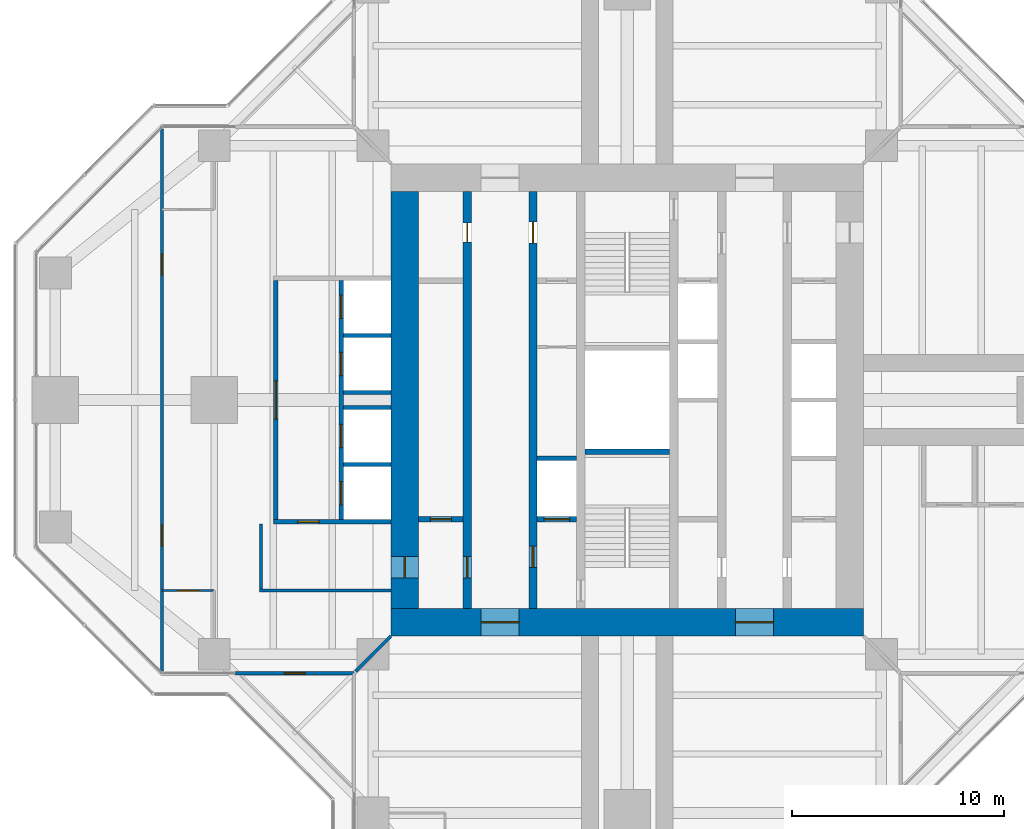
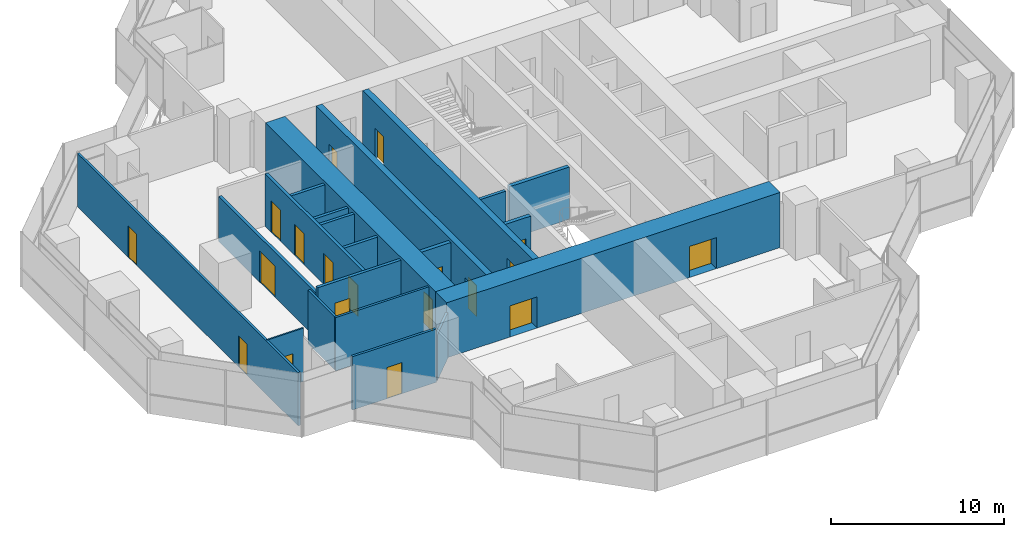
# One storey, part 13 of 17: 21 walls, 19 doors, 19 openings.
"""IFC4 building model written with IfcOpenShell, lengths in metres."""

from ifc_helpers import new_model, si_unit, direction, frame, frame_2d, origin, place, context, subcontext, project, spatial, rectangle, extrude, material, layer, layer_set, type_object, element, fill, save


model = new_model("IFC4")

# Units and contexts
model_context = context("Model", 3, precision=1e-05, world=origin(), true_north=direction((0.0, 1.0)))
body_context = subcontext(model_context, "Body", "Model", "MODEL_VIEW")
ifc_project = project(units=[si_unit("LENGTHUNIT", "METRE"), si_unit("AREAUNIT", "SQUARE_METRE"), si_unit("VOLUMEUNIT", "CUBIC_METRE"), si_unit("PLANEANGLEUNIT", "RADIAN"), si_unit("MASSUNIT", "GRAM", prefix="KILO")], contexts=[model_context])

# Site, building, storey
site_placement = place(None, origin())
site = spatial("IfcSite", under=ifc_project, at=site_placement, CompositionType="ELEMENT")
building_placement = place(site_placement, origin())
building = spatial("IfcBuilding", under=site, at=building_placement, Name="Mizan Broadcast Tower", CompositionType="ELEMENT")
storey_placement = place(building_placement, frame((0.0, 0.0, 240.0)))
storey = spatial("IfcBuildingStorey", under=building, at=storey_placement, Name="L56", CompositionType="ELEMENT", Elevation=240.0)

# Wall, openings, doors
ifc_material_1 = material(Name="Concrete C70/85", Category="concrete")
ifc_layer_1 = layer(ifc_material_1, 0.39990234375)
ifc_layer_set_1 = layer_set([ifc_layer_1], Name="Concrete C70/85")
wall_type_1 = type_object("IfcWallType", Name="CORE INTERNAL WALL 400", PredefinedType="SHEAR", material=ifc_layer_set_1)
wall_1_placement = place(storey_placement, frame((-7.550048828125, -9.85009765625, 0.0), z_axis=(0.0, 0.0, 1.0), x_axis=(0.0, 1.0, 0.0)))
wall_1 = element("IfcWall", 1, at=wall_1_placement, inside=storey, type_object=wall_type_1, Name="Core wall CORE/XW1", PredefinedType="SHEAR", context=body_context, shape_type="SweptSolid", body=[
    extrude(rectangle(XDim=19.7001953125, YDim=0.39990234375, at=frame_2d((9.85009765625, 0.0))), origin(), (0.0, 0.0, 1.0), 3.89990234375),
])
opening_1_placement = place(wall_1_placement, frame((1.449951171875, 0.0, 0.0)))
opening_1 = element("IfcOpeningElement", 2, at=opening_1_placement, cuts=wall_1, Name="Opening D10F", PredefinedType="OPENING", context=body_context, shape_type="SweptSolid", body=[
    extrude(rectangle(XDim=1.0, YDim=2.199951171875, at=frame_2d((0.5, 1.10009765625))), frame((0.0, 0.2099609375, 0.0), z_axis=(0.0, -1.0, 0.0), x_axis=(1.0, 0.0, 0.0)), (0.0, 0.0, 1.0), 0.419921875),
])
opening_2_placement = place(wall_1_placement, frame((17.300048828125, 0.0, 0.0)))
opening_2 = element("IfcOpeningElement", 3, at=opening_2_placement, cuts=wall_1, Name="Opening D09", PredefinedType="OPENING", context=body_context, shape_type="SweptSolid", body=[
    extrude(rectangle(XDim=0.89990234375, YDim=2.10009765625, at=frame_2d((0.449951171875, 1.050048828125))), frame((0.0, 0.2099609375, 0.0), z_axis=(0.0, -1.0, 0.0), x_axis=(1.0, 0.0, 0.0)), (0.0, 0.0, 1.0), 0.419921875),
])
ifc_material_2 = material(Name="Steel door leaf in steel frame", Category="steel")
door_type_1 = type_object("IfcDoorType", Name="FIRE DOOR 1000 FD90", OperationType="SINGLE_SWING_LEFT", PredefinedType="DOOR", material=ifc_material_2)
door_1_placement = place(opening_1_placement, origin())
door_1 = element("IfcDoor", 4, at=door_1_placement, inside=storey, type_object=door_type_1, Name="West core passage door", OperationType="SINGLE_SWING_LEFT", OverallHeight=2.199951171875, OverallWidth=1.0, PredefinedType="DOOR", context=body_context, shape_type="SweptSolid", body=[
    extrude(rectangle(XDim=1.0, YDim=2.199951171875, at=frame_2d((0.5, 1.10009765625))), frame((0.0, 0.02490234375, 0.0), z_axis=(0.0, -1.0, 0.0), x_axis=(1.0, 0.0, 0.0)), (0.0, 0.0, 1.0), 0.050048828125),
])
fill(opening_1, door_1)
ifc_material_3 = material(Name="Timber door leaf in aluminium frame", Category="wood")
door_type_2 = type_object("IfcDoorType", Name="TOILET DOOR 900", OperationType="SINGLE_SWING_LEFT", PredefinedType="DOOR", material=ifc_material_3)
door_2_placement = place(opening_2_placement, origin())
door_2 = element("IfcDoor", 5, at=door_2_placement, inside=storey, type_object=door_type_2, Name="Male WC door", OperationType="SINGLE_SWING_RIGHT", OverallHeight=2.10009765625, OverallWidth=0.89990234375, PredefinedType="DOOR", context=body_context, shape_type="SweptSolid", body=[
    extrude(rectangle(XDim=0.89990234375, YDim=2.10009765625, at=frame_2d((0.449951171875, 1.050048828125))), frame((0.0, 0.02490234375, 0.0), z_axis=(0.0, -1.0, 0.0), x_axis=(1.0, 0.0, 0.0)), (0.0, 0.0, 1.0), 0.050048828125),
])
fill(opening_2, door_2)

wall_2_placement = place(storey_placement, frame((-4.449951171875, -9.85009765625, 0.0), z_axis=(0.0, 0.0, 1.0), x_axis=(0.0, 1.0, 0.0)))
wall_2 = element("IfcWall", 6, at=wall_2_placement, inside=storey, type_object=wall_type_1, Name="Core wall CORE/XWH", PredefinedType="SHEAR", context=body_context, shape_type="SweptSolid", body=[
    extrude(rectangle(XDim=19.7001953125, YDim=0.39990234375, at=frame_2d((9.85009765625, 0.0))), origin(), (0.0, 0.0, 1.0), 3.89990234375),
])
opening_3_placement = place(wall_2_placement, frame((1.949951171875, 0.0, 0.0)))
opening_3 = element("IfcOpeningElement", 7, at=opening_3_placement, cuts=wall_2, Name="Opening D10F", PredefinedType="OPENING", context=body_context, shape_type="SweptSolid", body=[
    extrude(rectangle(XDim=1.0, YDim=2.199951171875, at=frame_2d((0.5, 1.10009765625))), frame((0.0, 0.2099609375, 0.0), z_axis=(0.0, -1.0, 0.0), x_axis=(1.0, 0.0, 0.0)), (0.0, 0.0, 1.0), 0.419921875),
])
opening_4_placement = place(wall_2_placement, frame((17.25, 0.0, 0.0)))
opening_4 = element("IfcOpeningElement", 8, at=opening_4_placement, cuts=wall_2, Name="Opening D10A", PredefinedType="OPENING", context=body_context, shape_type="SweptSolid", body=[
    extrude(rectangle(XDim=1.0, YDim=2.10009765625, at=frame_2d((0.5, 1.050048828125))), frame((0.0, 0.2099609375, 0.0), z_axis=(0.0, -1.0, 0.0), x_axis=(1.0, 0.0, 0.0)), (0.0, 0.0, 1.0), 0.419921875),
])
ifc_material_4 = material(Name="Timber door leaf in aluminium frame", Category="wood")
door_type_3 = type_object("IfcDoorType", Name="ACCESSIBLE WC DOOR 1000", OperationType="SLIDING_TO_LEFT", PredefinedType="DOOR", material=ifc_material_4)
door_3_placement = place(opening_4_placement, origin())
door_3 = element("IfcDoor", 9, at=door_3_placement, inside=storey, type_object=door_type_3, Name="Accessible WC door", OperationType="SLIDING_TO_LEFT", OverallHeight=2.10009765625, OverallWidth=1.0, PredefinedType="DOOR", context=body_context, shape_type="SweptSolid", body=[
    extrude(rectangle(XDim=1.0, YDim=2.10009765625, at=frame_2d((0.5, 1.050048828125))), frame((0.0, 0.02490234375, 0.0), z_axis=(0.0, -1.0, 0.0), x_axis=(1.0, 0.0, 0.0)), (0.0, 0.0, 1.0), 0.050048828125),
])
fill(opening_4, door_3)
door_4_placement = place(opening_3_placement, origin())
door_4 = element("IfcDoor", 10, at=door_4_placement, inside=storey, type_object=door_type_1, Name="Firefighting lobby A door", OperationType="SINGLE_SWING_LEFT", OverallHeight=2.199951171875, OverallWidth=1.0, PredefinedType="DOOR", context=body_context, shape_type="SweptSolid", body=[
    extrude(rectangle(XDim=1.0, YDim=2.199951171875, at=frame_2d((0.5, 1.10009765625))), frame((0.0, 0.02490234375, 0.0), z_axis=(0.0, -1.0, 0.0), x_axis=(1.0, 0.0, 0.0)), (0.0, 0.0, 1.0), 0.050048828125),
])
fill(opening_3, door_4)

ifc_material_5 = material(Name="Concrete C70/85", Category="concrete")
ifc_layer_2 = layer(ifc_material_5, 1.300048828125)
ifc_layer_set_2 = layer_set([ifc_layer_2], Name="Concrete C70/85")
wall_type_2 = type_object("IfcWallType", Name="CORE WALL 1300", PredefinedType="SHEAR", material=ifc_layer_set_2)
wall_3_placement = place(storey_placement, frame((11.14990234375, -10.5, 0.0), z_axis=(0.0, 0.0, 1.0), x_axis=(-1.0, 0.0, 0.0)))
wall_3 = element("IfcWall", 11, at=wall_3_placement, inside=storey, type_object=wall_type_2, Name="Core wall S L56", PredefinedType="SHEAR", context=body_context, shape_type="SweptSolid", body=[
    extrude(rectangle(XDim=22.2998046875, YDim=1.300048828125, at=frame_2d((11.14990234375, 0.0))), origin(), (0.0, 0.0, 1.0), 3.89990234375),
])
opening_5_placement = place(wall_3_placement, frame((16.25, 0.0, 0.0)))
opening_5 = element("IfcOpeningElement", 12, at=opening_5_placement, cuts=wall_3, Name="Opening D18F", PredefinedType="OPENING", context=body_context, shape_type="SweptSolid", body=[
    extrude(rectangle(XDim=1.800048828125, YDim=2.199951171875, at=frame_2d((0.89990234375, 1.10009765625))), frame((0.0, 0.659912109375, 0.0), z_axis=(0.0, -1.0, 0.0), x_axis=(1.0, 0.0, 0.0)), (0.0, 0.0, 1.0), 1.320068359375),
])
opening_6_placement = place(wall_3_placement, frame((4.25, 0.0, 0.0)))
opening_6 = element("IfcOpeningElement", 13, at=opening_6_placement, cuts=wall_3, Name="Opening D18F", PredefinedType="OPENING", context=body_context, shape_type="SweptSolid", body=[
    extrude(rectangle(XDim=1.800048828125, YDim=2.199951171875, at=frame_2d((0.89990234375, 1.10009765625))), frame((0.0, 0.659912109375, 0.0), z_axis=(0.0, -1.0, 0.0), x_axis=(1.0, 0.0, 0.0)), (0.0, 0.0, 1.0), 1.320068359375),
])
ifc_material_6 = material(Name="Steel door leaf in steel frame", Category="steel")
door_type_4 = type_object("IfcDoorType", Name="LOBBY DOUBLE DOOR 1800 FD90", OperationType="DOUBLE_DOOR_DOUBLE_SWING", PredefinedType="DOOR", material=ifc_material_6)
door_5_placement = place(opening_5_placement, origin())
door_5 = element("IfcDoor", 14, at=door_5_placement, inside=storey, type_object=door_type_4, Name="West lift lobby south door", OperationType="DOUBLE_DOOR_DOUBLE_SWING", OverallHeight=2.199951171875, OverallWidth=1.800048828125, PredefinedType="DOOR", context=body_context, shape_type="SweptSolid", body=[
    extrude(rectangle(XDim=1.800048828125, YDim=2.199951171875, at=frame_2d((0.89990234375, 1.10009765625))), frame((0.0, 0.02490234375, 0.0), z_axis=(0.0, -1.0, 0.0), x_axis=(1.0, 0.0, 0.0)), (0.0, 0.0, 1.0), 0.050048828125),
])
fill(opening_5, door_5)
door_6_placement = place(opening_6_placement, origin())
door_6 = element("IfcDoor", 15, at=door_6_placement, inside=storey, type_object=door_type_4, Name="East lift lobby south door", OperationType="DOUBLE_DOOR_DOUBLE_SWING", OverallHeight=2.199951171875, OverallWidth=1.800048828125, PredefinedType="DOOR", context=body_context, shape_type="SweptSolid", body=[
    extrude(rectangle(XDim=1.800048828125, YDim=2.199951171875, at=frame_2d((0.89990234375, 1.10009765625))), frame((0.0, 0.02490234375, 0.0), z_axis=(0.0, -1.0, 0.0), x_axis=(1.0, 0.0, 0.0)), (0.0, 0.0, 1.0), 0.050048828125),
])
fill(opening_6, door_6)

# Wall, opening, door
wall_4_placement = place(storey_placement, frame((-10.5, 9.85009765625, 0.0), z_axis=(0.0, 0.0, 1.0), x_axis=(0.0, -1.0, 0.0)))
wall_4 = element("IfcWall", 16, at=wall_4_placement, inside=storey, type_object=wall_type_2, Name="Core wall W L56", PredefinedType="SHEAR", context=body_context, shape_type="SweptSolid", body=[
    extrude(rectangle(XDim=19.7001953125, YDim=1.300048828125, at=frame_2d((9.85009765625, 0.0))), origin(), (0.0, 0.0, 1.0), 3.89990234375),
])
opening_7_placement = place(wall_4_placement, frame((17.25, 0.0, 0.0)))
opening_7 = element("IfcOpeningElement", 17, at=opening_7_placement, cuts=wall_4, Name="Opening D10F", PredefinedType="OPENING", context=body_context, shape_type="SweptSolid", body=[
    extrude(rectangle(XDim=1.0, YDim=2.199951171875, at=frame_2d((0.5, 1.10009765625))), frame((0.0, 0.659912109375, 0.0), z_axis=(0.0, -1.0, 0.0), x_axis=(1.0, 0.0, 0.0)), (0.0, 0.0, 1.0), 1.320068359375),
])
door_7_placement = place(opening_7_placement, origin())
door_7 = element("IfcDoor", 18, at=door_7_placement, inside=storey, type_object=door_type_1, Name="West core passage arm door", OperationType="SINGLE_SWING_RIGHT", OverallHeight=2.199951171875, OverallWidth=1.0, PredefinedType="DOOR", context=body_context, shape_type="SweptSolid", body=[
    extrude(rectangle(XDim=1.0, YDim=2.199951171875, at=frame_2d((0.5, 1.10009765625))), frame((0.0, 0.02490234375, 0.0), z_axis=(0.0, -1.0, 0.0), x_axis=(1.0, 0.0, 0.0)), (0.0, 0.0, 1.0), 0.050048828125),
])
fill(opening_7, door_7)

ifc_material_7 = material(Name="Aluminium framed glazed screen", Category="aluminium")
ifc_layer_3 = layer(ifc_material_7, 0.159912109375)
ifc_layer_set_3 = layer_set([ifc_layer_3], Name="Aluminium framed glazed screen")
wall_type_3 = type_object("IfcWallType", Name="GLAZED SCREEN WALL 160", PredefinedType="SOLIDWALL", material=ifc_layer_set_3)
wall_5_placement = place(storey_placement, frame((-18.5, -12.89990234375, 0.0), z_axis=(0.0, 0.0, 1.0), x_axis=(1.0, 0.0, 0.0)))
wall_5 = element("IfcWall", 19, at=wall_5_placement, inside=storey, type_object=wall_type_3, Name="Winter garden screen L56 W", PredefinedType="SOLIDWALL", context=body_context, shape_type="SweptSolid", body=[
    extrude(rectangle(XDim=5.60009765625, YDim=0.159912109375, at=frame_2d((2.800048828125, 0.0))), origin(), (0.0, 0.0, 1.0), 3.77001953125),
])
opening_8_placement = place(wall_5_placement, frame((2.300048828125, 0.0, 0.0)))
opening_8 = element("IfcOpeningElement", 20, at=opening_8_placement, cuts=wall_5, Name="Opening WGD", PredefinedType="OPENING", context=body_context, shape_type="SweptSolid", body=[
    extrude(rectangle(XDim=1.0, YDim=2.199951171875, at=frame_2d((0.5, 1.10009765625))), frame((0.0, 0.08984375, 0.0), z_axis=(0.0, -1.0, 0.0), x_axis=(1.0, 0.0, 0.0)), (0.0, 0.0, 1.0), 0.179931640625),
])
ifc_material_8 = material(Name="Aluminium framed glazed door", Category="aluminium")
door_type_5 = type_object("IfcDoorType", Name="WINTER GARDEN DOOR 1000 GLAZED", OperationType="SINGLE_SWING_LEFT", PredefinedType="DOOR", material=ifc_material_8)
door_8_placement = place(opening_8_placement, origin())
door_8 = element("IfcDoor", 21, at=door_8_placement, inside=storey, type_object=door_type_5, Name="Winter garden door L56 W", OperationType="SINGLE_SWING_RIGHT", OverallHeight=2.199951171875, OverallWidth=1.0, PredefinedType="DOOR", context=body_context, shape_type="SweptSolid", body=[
    extrude(rectangle(XDim=1.0, YDim=2.199951171875, at=frame_2d((0.5, 1.10009765625))), frame((0.0, 0.02490234375, 0.0), z_axis=(0.0, -1.0, 0.0), x_axis=(1.0, 0.0, 0.0)), (0.0, 0.0, 1.0), 0.050048828125),
])
fill(opening_8, door_8)

# Wall
ifc_material_9 = material(Name="Concrete blockwork", Category="masonry")
ifc_layer_4 = layer(ifc_material_9, 0.199951171875)
ifc_layer_set_4 = layer_set([ifc_layer_4], Name="Concrete blockwork")
wall_type_4 = type_object("IfcWallType", Name="LIFT SHAFT WALL 200", PredefinedType="SOLIDWALL", material=ifc_layer_set_4)
wall_6_placement = place(storey_placement, frame((-4.25, -2.75, 0.0), z_axis=(0.0, 0.0, 1.0), x_axis=(1.0, 0.0, 0.0)))
element("IfcWall", 22, at=wall_6_placement, inside=storey, type_object=wall_type_4, Name="Lift shaft wall CORE/SW2-1", PredefinedType="SOLIDWALL", context=body_context, shape_type="SweptSolid", body=[
    extrude(rectangle(XDim=1.85009765625, YDim=0.199951171875, at=frame_2d((0.925048828125, 0.0))), origin(), (0.0, 0.0, 1.0), 3.699951171875),
])

# Wall, openings, doors
wall_7_placement = place(storey_placement, frame((-13.5, 5.64990234375, 0.0), z_axis=(0.0, 0.0, 1.0), x_axis=(0.0, -1.0, 0.0)))
wall_7 = element("IfcWall", 23, at=wall_7_placement, inside=storey, type_object=wall_type_4, Name="Lift shaft wall LC/F", PredefinedType="SOLIDWALL", context=body_context, shape_type="SweptSolid", body=[
    extrude(rectangle(XDim=11.2998046875, YDim=0.199951171875, at=frame_2d((5.64990234375, 0.0))), origin(), (0.0, 0.0, 1.0), 3.699951171875),
])
opening_9_placement = place(wall_7_placement, frame((0.699951171875, 0.0, 0.0)))
opening_9 = element("IfcOpeningElement", 24, at=opening_9_placement, cuts=wall_7, Name="Opening LD", PredefinedType="OPENING", context=body_context, shape_type="SweptSolid", body=[
    extrude(rectangle(XDim=1.10009765625, YDim=2.199951171875, at=frame_2d((0.550048828125, 1.10009765625))), frame((0.0, 0.10986328125, 0.0), z_axis=(0.0, -1.0, 0.0), x_axis=(1.0, 0.0, 0.0)), (0.0, 0.0, 1.0), 0.219970703125),
])
opening_10_placement = place(wall_7_placement, frame((3.39990234375, 0.0, 0.0)))
opening_10 = element("IfcOpeningElement", 25, at=opening_10_placement, cuts=wall_7, Name="Opening LD", PredefinedType="OPENING", context=body_context, shape_type="SweptSolid", body=[
    extrude(rectangle(XDim=1.10009765625, YDim=2.199951171875, at=frame_2d((0.550048828125, 1.10009765625))), frame((0.0, 0.10986328125, 0.0), z_axis=(0.0, -1.0, 0.0), x_axis=(1.0, 0.0, 0.0)), (0.0, 0.0, 1.0), 0.219970703125),
])
opening_11_placement = place(wall_7_placement, frame((6.800048828125, 0.0, 0.0)))
opening_11 = element("IfcOpeningElement", 26, at=opening_11_placement, cuts=wall_7, Name="Opening LD", PredefinedType="OPENING", context=body_context, shape_type="SweptSolid", body=[
    extrude(rectangle(XDim=1.10009765625, YDim=2.199951171875, at=frame_2d((0.550048828125, 1.10009765625))), frame((0.0, 0.10986328125, 0.0), z_axis=(0.0, -1.0, 0.0), x_axis=(1.0, 0.0, 0.0)), (0.0, 0.0, 1.0), 0.219970703125),
])
opening_12_placement = place(wall_7_placement, frame((9.5, 0.0, 0.0)))
opening_12 = element("IfcOpeningElement", 27, at=opening_12_placement, cuts=wall_7, Name="Opening LD", PredefinedType="OPENING", context=body_context, shape_type="SweptSolid", body=[
    extrude(rectangle(XDim=1.10009765625, YDim=2.199951171875, at=frame_2d((0.550048828125, 1.10009765625))), frame((0.0, 0.10986328125, 0.0), z_axis=(0.0, -1.0, 0.0), x_axis=(1.0, 0.0, 0.0)), (0.0, 0.0, 1.0), 0.219970703125),
])
ifc_material_10 = material(Name="Steel door leaf in steel frame", Category="steel")
door_type_6 = type_object("IfcDoorType", Name="LIFT LANDING DOOR 1100", OperationType="SLIDING_TO_LEFT", PredefinedType="DOOR", material=ifc_material_10)
door_9_placement = place(opening_9_placement, origin())
door_9 = element("IfcDoor", 28, at=door_9_placement, inside=storey, type_object=door_type_6, Name="Landing door LC1", OperationType="SLIDING_TO_LEFT", OverallHeight=2.199951171875, OverallWidth=1.10009765625, PredefinedType="DOOR", context=body_context, shape_type="SweptSolid", body=[
    extrude(rectangle(XDim=1.10009765625, YDim=2.199951171875, at=frame_2d((0.550048828125, 1.10009765625))), frame((0.0, 0.02490234375, 0.0), z_axis=(0.0, -1.0, 0.0), x_axis=(1.0, 0.0, 0.0)), (0.0, 0.0, 1.0), 0.050048828125),
])
fill(opening_9, door_9)
door_10_placement = place(opening_10_placement, origin())
door_10 = element("IfcDoor", 29, at=door_10_placement, inside=storey, type_object=door_type_6, Name="Landing door LC2", OperationType="SLIDING_TO_LEFT", OverallHeight=2.199951171875, OverallWidth=1.10009765625, PredefinedType="DOOR", context=body_context, shape_type="SweptSolid", body=[
    extrude(rectangle(XDim=1.10009765625, YDim=2.199951171875, at=frame_2d((0.550048828125, 1.10009765625))), frame((0.0, 0.02490234375, 0.0), z_axis=(0.0, -1.0, 0.0), x_axis=(1.0, 0.0, 0.0)), (0.0, 0.0, 1.0), 0.050048828125),
])
fill(opening_10, door_10)
door_11_placement = place(opening_11_placement, origin())
door_11 = element("IfcDoor", 30, at=door_11_placement, inside=storey, type_object=door_type_6, Name="Landing door LC3", OperationType="SLIDING_TO_LEFT", OverallHeight=2.199951171875, OverallWidth=1.10009765625, PredefinedType="DOOR", context=body_context, shape_type="SweptSolid", body=[
    extrude(rectangle(XDim=1.10009765625, YDim=2.199951171875, at=frame_2d((0.550048828125, 1.10009765625))), frame((0.0, 0.02490234375, 0.0), z_axis=(0.0, -1.0, 0.0), x_axis=(1.0, 0.0, 0.0)), (0.0, 0.0, 1.0), 0.050048828125),
])
fill(opening_11, door_11)
door_12_placement = place(opening_12_placement, origin())
door_12 = element("IfcDoor", 31, at=door_12_placement, inside=storey, type_object=door_type_6, Name="Landing door LC4", OperationType="SLIDING_TO_LEFT", OverallHeight=2.199951171875, OverallWidth=1.10009765625, PredefinedType="DOOR", context=body_context, shape_type="SweptSolid", body=[
    extrude(rectangle(XDim=1.10009765625, YDim=2.199951171875, at=frame_2d((0.550048828125, 1.10009765625))), frame((0.0, 0.02490234375, 0.0), z_axis=(0.0, -1.0, 0.0), x_axis=(1.0, 0.0, 0.0)), (0.0, 0.0, 1.0), 0.050048828125),
])
fill(opening_12, door_12)

# Wall, opening, door
wall_8_placement = place(storey_placement, frame((-11.14990234375, -5.75, 0.0), z_axis=(0.0, 0.0, 1.0), x_axis=(-1.0, 0.0, 0.0)))
wall_8 = element("IfcWall", 32, at=wall_8_placement, inside=storey, type_object=wall_type_4, Name="Lift shaft wall LC/S2", PredefinedType="SOLIDWALL", context=body_context, shape_type="SweptSolid", body=[
    extrude(rectangle(XDim=5.550048828125, YDim=0.199951171875, at=frame_2d((2.77490234375, 0.0))), origin(), (0.0, 0.0, 1.0), 3.699951171875),
])
opening_13_placement = place(wall_8_placement, frame((3.39990234375, 0.0, 0.0)))
opening_13 = element("IfcOpeningElement", 33, at=opening_13_placement, cuts=wall_8, Name="Opening D10F", PredefinedType="OPENING", context=body_context, shape_type="SweptSolid", body=[
    extrude(rectangle(XDim=1.0, YDim=2.199951171875, at=frame_2d((0.5, 1.10009765625))), frame((0.0, 0.10986328125, 0.0), z_axis=(0.0, -1.0, 0.0), x_axis=(1.0, 0.0, 0.0)), (0.0, 0.0, 1.0), 0.219970703125),
])
door_13_placement = place(opening_13_placement, origin())
door_13 = element("IfcDoor", 34, at=door_13_placement, inside=storey, type_object=door_type_1, Name="High-rise lobby corridor door", OperationType="SINGLE_SWING_RIGHT", OverallHeight=2.199951171875, OverallWidth=1.0, PredefinedType="DOOR", context=body_context, shape_type="SweptSolid", body=[
    extrude(rectangle(XDim=1.0, YDim=2.199951171875, at=frame_2d((0.5, 1.10009765625))), frame((0.0, 0.02490234375, 0.0), z_axis=(0.0, -1.0, 0.0), x_axis=(1.0, 0.0, 0.0)), (0.0, 0.0, 1.0), 0.050048828125),
])
fill(opening_13, door_13)

# Walls
for number, where, z_axis, x_axis, name in (
    (35, (-11.14990234375, 3.050048828125, 0.0), (0.0, 0.0, 1.0), (-1.0, 0.0, 0.0), "Lift shaft wall LC/SP1"),
    (36, (-11.14990234375, 0.35009765625, 0.0), (0.0, 0.0, 1.0), (-1.0, 0.0, 0.0), "Lift shaft wall LC/SP2"),
    (37, (-11.14990234375, -0.35009765625, 0.0), (0.0, 0.0, 1.0), (-1.0, 0.0, 0.0), "Lift shaft wall LC/SP3"),
    (38, (-11.14990234375, -3.050048828125, 0.0), (0.0, 0.0, 1.0), (-1.0, 0.0, 0.0), "Lift shaft wall LC/SP4"),
):
    element("IfcWall", number, at=place(storey_placement, frame(where, z_axis=z_axis, x_axis=x_axis)), inside=storey, type_object=wall_type_4, Name=name, PredefinedType="SOLIDWALL", context=body_context, shape_type="SweptSolid", body=[
        extrude(rectangle(XDim=2.25, YDim=0.199951171875, at=frame_2d((1.125, 0.0))), origin(), (0.0, 0.0, 1.0), 3.699951171875),
    ])

# Wall, opening, door
ifc_material_11 = material(Name="Concrete blockwork", Category="masonry")
ifc_layer_5 = layer(ifc_material_11, 0.25)
ifc_layer_set_5 = layer_set([ifc_layer_5], Name="Concrete blockwork")
wall_type_5 = type_object("IfcWallType", Name="LOBBY ENCLOSURE WALL 250", PredefinedType="SOLIDWALL", material=ifc_layer_set_5)
wall_9_placement = place(storey_placement, frame((-9.85009765625, -5.625, 0.0), z_axis=(0.0, 0.0, 1.0), x_axis=(1.0, 0.0, 0.0)))
wall_9 = element("IfcWall", 39, at=wall_9_placement, inside=storey, type_object=wall_type_5, Name="Lobby enclosure wall CORE/BW1S", PredefinedType="SOLIDWALL", context=body_context, shape_type="SweptSolid", body=[
    extrude(rectangle(XDim=2.10009765625, YDim=0.25, at=frame_2d((1.050048828125, 0.0))), origin(), (0.0, 0.0, 1.0), 3.699951171875),
])
opening_14_placement = place(wall_9_placement, frame((0.550048828125, 0.0, 0.0)))
opening_14 = element("IfcOpeningElement", 40, at=opening_14_placement, cuts=wall_9, Name="Opening D10F", PredefinedType="OPENING", context=body_context, shape_type="SweptSolid", body=[
    extrude(rectangle(XDim=1.0, YDim=2.199951171875, at=frame_2d((0.5, 1.10009765625))), frame((0.0, 0.135009765625, 0.0), z_axis=(0.0, -1.0, 0.0), x_axis=(1.0, 0.0, 0.0)), (0.0, 0.0, 1.0), 0.27001953125),
])
door_14_placement = place(opening_14_placement, origin())
door_14 = element("IfcDoor", 41, at=door_14_placement, inside=storey, type_object=door_type_1, Name="Print and post room door", OperationType="SINGLE_SWING_RIGHT", OverallHeight=2.199951171875, OverallWidth=1.0, PredefinedType="DOOR", context=body_context, shape_type="SweptSolid", body=[
    extrude(rectangle(XDim=1.0, YDim=2.199951171875, at=frame_2d((0.5, 1.10009765625))), frame((0.0, 0.02490234375, 0.0), z_axis=(0.0, -1.0, 0.0), x_axis=(1.0, 0.0, 0.0)), (0.0, 0.0, 1.0), 0.050048828125),
])
fill(opening_14, door_14)

wall_10_placement = place(storey_placement, frame((-4.25, -5.625, 0.0), z_axis=(0.0, 0.0, 1.0), x_axis=(1.0, 0.0, 0.0)))
wall_10 = element("IfcWall", 42, at=wall_10_placement, inside=storey, type_object=wall_type_5, Name="Lobby enclosure wall CORE/BW2S", PredefinedType="SOLIDWALL", context=body_context, shape_type="SweptSolid", body=[
    extrude(rectangle(XDim=1.85009765625, YDim=0.25, at=frame_2d((0.925048828125, 0.0))), origin(), (0.0, 0.0, 1.0), 3.699951171875),
])
opening_15_placement = place(wall_10_placement, frame((0.324951171875, 0.0, 0.0)))
opening_15 = element("IfcOpeningElement", 43, at=opening_15_placement, cuts=wall_10, Name="Opening LDF", PredefinedType="OPENING", context=body_context, shape_type="SweptSolid", body=[
    extrude(rectangle(XDim=1.199951171875, YDim=2.199951171875, at=frame_2d((0.60009765625, 1.10009765625))), frame((0.0, 0.135009765625, 0.0), z_axis=(0.0, -1.0, 0.0), x_axis=(1.0, 0.0, 0.0)), (0.0, 0.0, 1.0), 0.27001953125),
])
ifc_material_12 = material(Name="Steel door leaf in steel frame", Category="steel")
door_type_7 = type_object("IfcDoorType", Name="FIREFIGHTING LIFT LANDING DOOR 1200", OperationType="SLIDING_TO_LEFT", PredefinedType="DOOR", material=ifc_material_12)
door_15_placement = place(opening_15_placement, origin())
door_15 = element("IfcDoor", 44, at=door_15_placement, inside=storey, type_object=door_type_7, Name="Landing door FF1", OperationType="SLIDING_TO_LEFT", OverallHeight=2.199951171875, OverallWidth=1.199951171875, PredefinedType="DOOR", context=body_context, shape_type="SweptSolid", body=[
    extrude(rectangle(XDim=1.199951171875, YDim=2.199951171875, at=frame_2d((0.60009765625, 1.10009765625))), frame((0.0, 0.02490234375, 0.0), z_axis=(0.0, -1.0, 0.0), x_axis=(1.0, 0.0, 0.0)), (0.0, 0.0, 1.0), 0.050048828125),
])
fill(opening_15, door_15)

# Wall
wall_11_placement = place(storey_placement, frame((-2.0, -2.449951171875, 0.0), z_axis=(0.0, 0.0, 1.0), x_axis=(1.0, 0.0, 0.0)))
element("IfcWall", 45, at=wall_11_placement, inside=storey, type_object=wall_type_5, Name="Lobby enclosure wall CORE/STA", PredefinedType="SOLIDWALL", context=body_context, shape_type="SweptSolid", body=[
    extrude(rectangle(XDim=4.0, YDim=0.25, at=frame_2d((2.0, 0.0))), origin(), (0.0, 0.0, 1.0), 3.699951171875),
])

# Wall, opening, door
wall_12_placement = place(storey_placement, frame((-16.60009765625, 5.64990234375, 0.0), z_axis=(0.0, 0.0, 1.0), x_axis=(0.0, -1.0, 0.0)))
wall_12 = element("IfcWall", 46, at=wall_12_placement, inside=storey, type_object=wall_type_5, Name="Lobby enclosure wall LC/LF", PredefinedType="SOLIDWALL", context=body_context, shape_type="SweptSolid", body=[
    extrude(rectangle(XDim=11.2998046875, YDim=0.199951171875, at=frame_2d((5.64990234375, 0.0))), origin(), (0.0, 0.0, 1.0), 3.179931640625),
])
opening_16_placement = place(wall_12_placement, frame((4.75, 0.0, 0.0)))
opening_16 = element("IfcOpeningElement", 47, at=opening_16_placement, cuts=wall_12, Name="Opening D18F", PredefinedType="OPENING", context=body_context, shape_type="SweptSolid", body=[
    extrude(rectangle(XDim=1.800048828125, YDim=2.199951171875, at=frame_2d((0.89990234375, 1.10009765625))), frame((0.0, 0.10986328125, 0.0), z_axis=(0.0, -1.0, 0.0), x_axis=(1.0, 0.0, 0.0)), (0.0, 0.0, 1.0), 0.219970703125),
])
door_16_placement = place(opening_16_placement, origin())
door_16 = element("IfcDoor", 48, at=door_16_placement, inside=storey, type_object=door_type_4, Name="High-rise lift lobby door", OperationType="DOUBLE_DOOR_DOUBLE_SWING", OverallHeight=2.199951171875, OverallWidth=1.800048828125, PredefinedType="DOOR", context=body_context, shape_type="SweptSolid", body=[
    extrude(rectangle(XDim=1.800048828125, YDim=2.199951171875, at=frame_2d((0.89990234375, 1.10009765625))), frame((0.0, 0.02490234375, 0.0), z_axis=(0.0, -1.0, 0.0), x_axis=(1.0, 0.0, 0.0)), (0.0, 0.0, 1.0), 0.050048828125),
])
fill(opening_16, door_16)

# Wall, openings, doors
ifc_material_13 = material(Name="Gypsum board on steel studs", Category="steel")
ifc_layer_6 = layer(ifc_material_13, 0.14990234375)
ifc_layer_set_6 = layer_set([ifc_layer_6], Name="Gypsum board on steel studs")
wall_type_6 = type_object("IfcWallType", Name="PARTITION 150", PredefinedType="PARTITIONING", material=ifc_layer_set_6)
wall_13_placement = place(storey_placement, frame((-21.958984375, 12.786376953125, 0.0), z_axis=(0.0, 0.0, 1.0), x_axis=(0.0, -1.0, 0.0)))
wall_13 = element("IfcWall", 49, at=wall_13_placement, inside=storey, type_object=wall_type_6, Name="Partition PT/WX1", PredefinedType="PARTITIONING", context=body_context, shape_type="SweptSolid", body=[
    extrude(rectangle(XDim=25.57275390625, YDim=0.14990234375, at=frame_2d((12.786376953125, 0.0))), origin(), (0.0, 0.0, 1.0), 3.77001953125),
])
opening_17_placement = place(wall_13_placement, frame((18.6865234375, 0.0, 0.0)))
opening_17 = element("IfcOpeningElement", 50, at=opening_17_placement, cuts=wall_13, Name="Opening D10", PredefinedType="OPENING", context=body_context, shape_type="SweptSolid", body=[
    extrude(rectangle(XDim=1.0, YDim=2.199951171875, at=frame_2d((0.5, 1.10009765625))), frame((0.0, 0.0849609375, 0.0), z_axis=(0.0, -1.0, 0.0), x_axis=(1.0, 0.0, 0.0)), (0.0, 0.0, 1.0), 0.169921875),
])
opening_18_placement = place(wall_13_placement, frame((5.886474609375, 0.0, 0.0)))
opening_18 = element("IfcOpeningElement", 51, at=opening_18_placement, cuts=wall_13, Name="Opening D10", PredefinedType="OPENING", context=body_context, shape_type="SweptSolid", body=[
    extrude(rectangle(XDim=1.0, YDim=2.199951171875, at=frame_2d((0.5, 1.10009765625))), frame((0.0, 0.0849609375, 0.0), z_axis=(0.0, -1.0, 0.0), x_axis=(1.0, 0.0, 0.0)), (0.0, 0.0, 1.0), 0.169921875),
])
ifc_material_14 = material(Name="Timber door leaf in aluminium frame", Category="wood")
door_type_8 = type_object("IfcDoorType", Name="ROOM DOOR 1000", OperationType="SINGLE_SWING_LEFT", PredefinedType="DOOR", material=ifc_material_14)
door_17_placement = place(opening_17_placement, origin())
door_17 = element("IfcDoor", 52, at=door_17_placement, inside=storey, type_object=door_type_8, Name="Meeting room door", OperationType="SINGLE_SWING_RIGHT", OverallHeight=2.199951171875, OverallWidth=1.0, PredefinedType="DOOR", context=body_context, shape_type="SweptSolid", body=[
    extrude(rectangle(XDim=1.0, YDim=2.199951171875, at=frame_2d((0.5, 1.10009765625))), frame((0.0, 0.02490234375, 0.0), z_axis=(0.0, -1.0, 0.0), x_axis=(1.0, 0.0, 0.0)), (0.0, 0.0, 1.0), 0.050048828125),
])
fill(opening_17, door_17)
door_18_placement = place(opening_18_placement, origin())
door_18 = element("IfcDoor", 53, at=door_18_placement, inside=storey, type_object=door_type_8, Name="Meeting room door", OperationType="SINGLE_SWING_LEFT", OverallHeight=2.199951171875, OverallWidth=1.0, PredefinedType="DOOR", context=body_context, shape_type="SweptSolid", body=[
    extrude(rectangle(XDim=1.0, YDim=2.199951171875, at=frame_2d((0.5, 1.10009765625))), frame((0.0, 0.02490234375, 0.0), z_axis=(0.0, -1.0, 0.0), x_axis=(1.0, 0.0, 0.0)), (0.0, 0.0, 1.0), 0.050048828125),
])
fill(opening_18, door_18)

# Walls
wall_14_placement = place(storey_placement, frame((-11.14990234375, -11.14990234375, 0.0), z_axis=(0.0, 0.0, 1.0), x_axis=(-0.707106781187, -0.707106781187, 0.0)))
element("IfcWall", 54, at=wall_14_placement, inside=storey, type_object=wall_type_6, Name="Partition PT/DGWS", PredefinedType="PARTITIONING", context=body_context, shape_type="SweptSolid", body=[
    extrude(rectangle(XDim=2.362060546875, YDim=0.14990234375, at=frame_2d((1.18115234375, 0.0))), origin(), (0.0, 0.0, 1.0), 3.219970703125),
])
wall_15_placement = place(storey_placement, frame((-11.14990234375, -9.0, 0.0), z_axis=(0.0, 0.0, 1.0), x_axis=(-1.0, 0.0, 0.0)))
element("IfcWall", 55, at=wall_15_placement, inside=storey, type_object=wall_type_6, Name="Partition PT/LCC1", PredefinedType="PARTITIONING", context=body_context, shape_type="SweptSolid", body=[
    extrude(rectangle(XDim=6.22509765625, YDim=0.14990234375, at=frame_2d((3.112548828125, 0.0))), origin(), (0.0, 0.0, 1.0), 3.77001953125),
])
wall_16_placement = place(storey_placement, frame((-17.300048828125, -5.85009765625, 0.0), z_axis=(0.0, 0.0, 1.0), x_axis=(0.0, -1.0, 0.0)))
element("IfcWall", 56, at=wall_16_placement, inside=storey, type_object=wall_type_6, Name="Partition PT/LCC2", PredefinedType="PARTITIONING", context=body_context, shape_type="SweptSolid", body=[
    extrude(rectangle(XDim=3.074951171875, YDim=0.14990234375, at=frame_2d((1.53759765625, 0.0))), origin(), (0.0, 0.0, 1.0), 3.77001953125),
])

# Wall, opening, door
ifc_material_15 = material(Name="Glazed aluminium partition on aluminium track", Category="aluminium")
ifc_layer_7 = layer(ifc_material_15, 0.10009765625)
ifc_layer_set_7 = layer_set([ifc_layer_7], Name="Glazed aluminium partition on aluminium track")
wall_type_7 = type_object("IfcWallType", Name="PARTITION GLAZED OFFICE FRONT 100", PredefinedType="PARTITIONING", material=ifc_layer_set_7)
wall_17_placement = place(storey_placement, frame((-19.5, -9.0, 0.0), z_axis=(0.0, 0.0, 1.0), x_axis=(-1.0, 0.0, 0.0)))
wall_17 = element("IfcWall", 57, at=wall_17_placement, inside=storey, type_object=wall_type_7, Name="Glazed office front PT/WCP0", PredefinedType="PARTITIONING", context=body_context, shape_type="SweptSolid", body=[
    extrude(rectangle(XDim=2.458984375, YDim=0.10009765625, at=frame_2d((1.2294921875, 0.0))), origin(), (0.0, 0.0, 1.0), 3.77001953125),
])
opening_19_placement = place(wall_17_placement, frame((0.7294921875, 0.0, 0.0)))
opening_19 = element("IfcOpeningElement", 58, at=opening_19_placement, cuts=wall_17, Name="Opening D10O", PredefinedType="OPENING", context=body_context, shape_type="SweptSolid", body=[
    extrude(rectangle(XDim=1.0, YDim=2.199951171875, at=frame_2d((0.5, 1.10009765625))), frame((0.0, 0.06005859375, 0.0), z_axis=(0.0, -1.0, 0.0), x_axis=(1.0, 0.0, 0.0)), (0.0, 0.0, 1.0), 0.1201171875),
])
ifc_material_16 = material(Name="Timber door leaf in aluminium frame", Category="wood")
door_type_9 = type_object("IfcDoorType", Name="OFFICE DOOR 1000 GLAZED", OperationType="SINGLE_SWING_LEFT", PredefinedType="DOOR", material=ifc_material_16)
door_19_placement = place(opening_19_placement, origin())
door_19 = element("IfcDoor", 59, at=door_19_placement, inside=storey, type_object=door_type_9, Name="Bureau office door", OperationType="SINGLE_SWING_LEFT", OverallHeight=2.199951171875, OverallWidth=1.0, PredefinedType="DOOR", context=body_context, shape_type="SweptSolid", body=[
    extrude(rectangle(XDim=1.0, YDim=2.199951171875, at=frame_2d((0.5, 1.10009765625))), frame((0.0, 0.02490234375, 0.0), z_axis=(0.0, -1.0, 0.0), x_axis=(1.0, 0.0, 0.0)), (0.0, 0.0, 1.0), 0.050048828125),
])
fill(opening_19, door_19)

save(model, "model.ifc")
